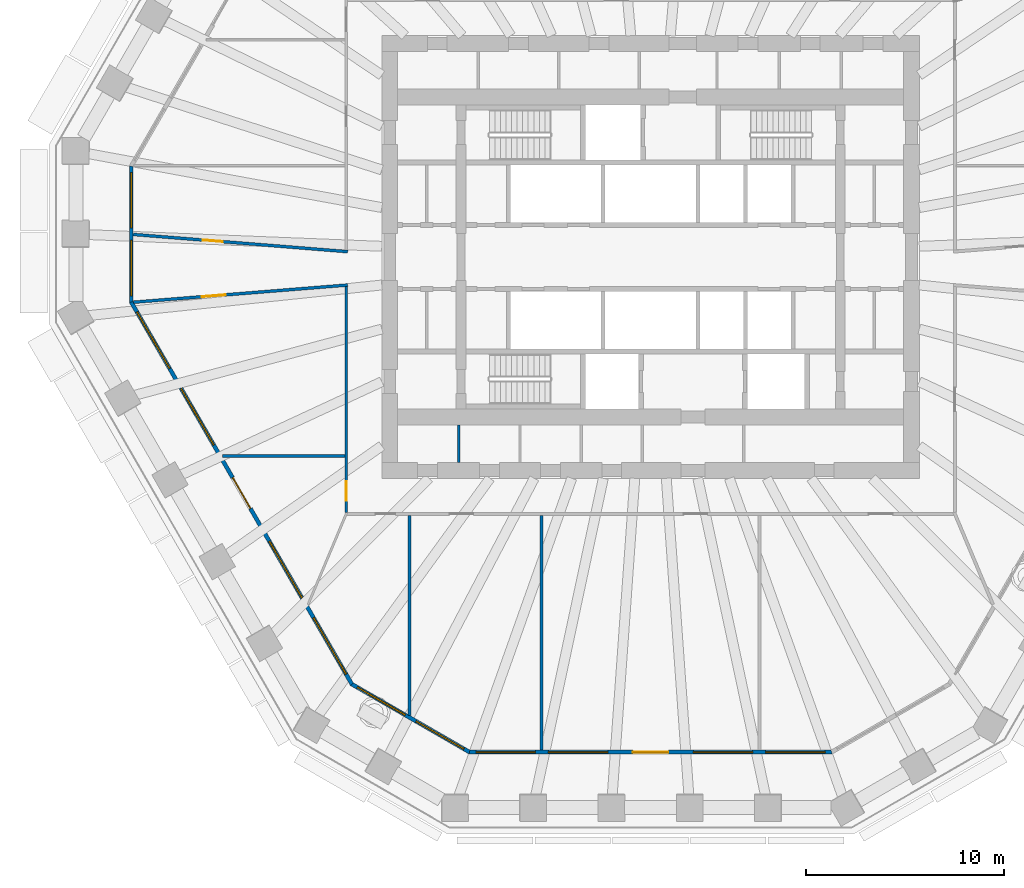
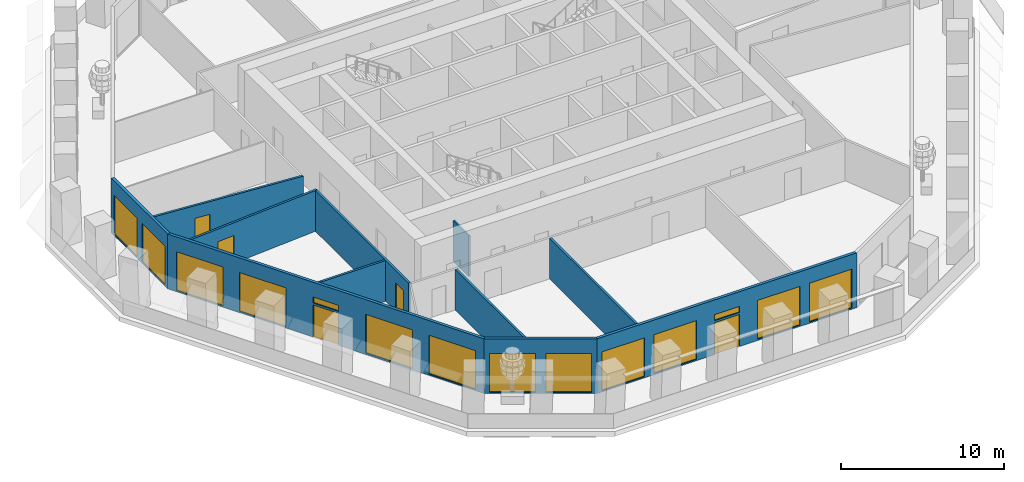
# One storey, part 3 of 13: 14 windows, 11 walls, 5 doors, 19 openings.
"""IFC4 building model written with IfcOpenShell, lengths in metres."""

from ifc_helpers import new_model, si_unit, direction, frame, frame_2d, origin, place, context, subcontext, project, spatial, polyline, rectangle, outline, extrude, material, layer, layer_set, type_object, element, fill, save


model = new_model("IFC4")

# Units and contexts
model_context = context("Model", 3, precision=1e-05, world=origin(), true_north=direction((0.0, 1.0)))
body_context = subcontext(model_context, "Body", "Model", "MODEL_VIEW")
ifc_project = project(units=[si_unit("LENGTHUNIT", "METRE"), si_unit("AREAUNIT", "SQUARE_METRE"), si_unit("VOLUMEUNIT", "CUBIC_METRE"), si_unit("PLANEANGLEUNIT", "RADIAN"), si_unit("MASSUNIT", "GRAM", prefix="KILO")], contexts=[model_context])

# Site, building, storey
site_placement = place(None, origin())
site = spatial("IfcSite", under=ifc_project, at=site_placement, CompositionType="ELEMENT")
building_placement = place(site_placement, origin())
building = spatial("IfcBuilding", under=site, at=building_placement, Name="Frailejon Research Tower", CompositionType="ELEMENT")
storey_placement = place(building_placement, frame((0.0, 0.0, 117.60009765625)))
storey = spatial("IfcBuildingStorey", under=building, at=storey_placement, Name="L25", CompositionType="ELEMENT", Elevation=117.60009765625)

# Wall
ifc_material_1 = material(Name="Plasterboard on steel studs", Category="steel")
ifc_layer_1 = layer(ifc_material_1, 0.125)
ifc_layer_set_1 = layer_set([ifc_layer_1], Name="Core partition 125")
wall_type_1 = type_object("IfcWallType", Name="Core partition 125", PredefinedType="PARTITIONING", material=ifc_layer_set_1)
wall_1_placement = place(storey_placement, frame((-9.703125, -10.39990234375, 0.0), z_axis=(0.0, 0.0, 1.0), x_axis=(0.0, 1.0, 0.0)))
element("IfcWall", 1, at=wall_1_placement, inside=storey, type_object=wall_type_1, Name="Core partition", PredefinedType="PARTITIONING", context=body_context, shape_type="SweptSolid", body=[
    extrude(rectangle(XDim=1.89990234375, YDim=0.125, at=frame_2d((0.949951171875, 0.0))), origin(), (0.0, 0.0, 1.0), 3.0498046875),
])

# Wall, opening, door
ifc_material_2 = material(Name="Gypsum board and masonry partition", Category="masonry")
ifc_layer_2 = layer(ifc_material_2, 0.14990234375)
ifc_layer_set_2 = layer_set([ifc_layer_2], Name="Corridor wall EI 60, gypsum on steel studs 150")
wall_type_2 = type_object("IfcWallType", Name="Corridor wall EI 60, gypsum on steel studs 150", PredefinedType="PARTITIONING", material=ifc_layer_set_2)
wall_2_placement = place(storey_placement, frame((-15.39990234375, -12.925048828125, 0.0), z_axis=(0.0, 0.0, 1.0), x_axis=(0.0, 1.0, 0.0)))
wall_2 = element("IfcWall", 2, at=wall_2_placement, inside=storey, type_object=wall_type_2, Name="T:IW:L25:004", PredefinedType="PARTITIONING", context=body_context, shape_type="SweptSolid", body=[
    extrude(rectangle(XDim=11.424560546875, YDim=0.14990234375, at=frame_2d((5.71240234375, 0.0))), origin(), (0.0, 0.0, 1.0), 3.0498046875),
])
opening_1_placement = place(wall_2_placement, frame((0.584716796875, 0.0, 0.0)))
opening_1 = element("IfcOpeningElement", 3, at=opening_1_placement, cuts=wall_2, Name="Opening D1625", PredefinedType="OPENING", context=body_context, shape_type="SweptSolid", body=[
    extrude(rectangle(XDim=1.0, YDim=2.10009765625, at=frame_2d((0.5, 1.050048828125))), frame((0.0, 0.0849609375, 0.0), z_axis=(0.0, -1.0, 0.0), x_axis=(1.0, 0.0, 0.0)), (0.0, 0.0, 1.0), 0.169921875),
])
ifc_material_3 = material(Name="Timber door leaf", Category="wood")
door_type_1 = type_object("IfcDoorType", Name="Door single leaf, timber, steel frame 1000", OperationType="NOTDEFINED", PredefinedType="DOOR", material=ifc_material_3)
door_1_placement = place(opening_1_placement, origin())
door_1 = element("IfcDoor", 4, at=door_1_placement, inside=storey, type_object=door_type_1, Name="D1625", OperationType="SINGLE_SWING_LEFT", OverallHeight=2.10009765625, OverallWidth=1.0, PredefinedType="DOOR", context=body_context, shape_type="SweptSolid", body=[
    extrude(rectangle(XDim=1.0, YDim=2.10009765625, at=frame_2d((0.5, 1.050048828125))), frame((0.0, 0.02490234375, 0.0), z_axis=(0.0, -1.0, 0.0), x_axis=(1.0, 0.0, 0.0)), (0.0, 0.0, 1.0), 0.050048828125),
])
fill(opening_1, door_1)

wall_3_placement = place(storey_placement, frame((-26.180419921875, 1.140380859375, 0.0), z_axis=(0.0, 0.0, 1.0), x_axis=(0.996788563133, -0.08007846406, 0.0)))
wall_3 = element("IfcWall", 5, at=wall_3_placement, inside=storey, type_object=wall_type_2, Name="T:IW:L25:007", PredefinedType="PARTITIONING", context=body_context, shape_type="SweptSolid", body=[
    extrude(rectangle(XDim=10.89013671875, YDim=0.14990234375, at=frame_2d((5.445068359375, 0.0))), origin(), (0.0, 0.0, 1.0), 3.0498046875),
])
opening_2_placement = place(wall_3_placement, frame((3.540283203125, 0.0, 0.0)))
opening_2 = element("IfcOpeningElement", 6, at=opening_2_placement, cuts=wall_3, Name="Opening D1623", PredefinedType="OPENING", context=body_context, shape_type="SweptSolid", body=[
    extrude(rectangle(XDim=1.0, YDim=2.10009765625, at=frame_2d((0.5, 1.050048828125))), frame((0.0, 0.0849609375, 0.0), z_axis=(0.0, -1.0, 0.0), x_axis=(1.0, 0.0, 0.0)), (0.0, 0.0, 1.0), 0.169921875),
])
door_2_placement = place(opening_2_placement, origin())
door_2 = element("IfcDoor", 7, at=door_2_placement, inside=storey, type_object=door_type_1, Name="D1623", OperationType="SINGLE_SWING_LEFT", OverallHeight=2.10009765625, OverallWidth=1.0, PredefinedType="DOOR", context=body_context, shape_type="SweptSolid", body=[
    extrude(rectangle(XDim=1.0, YDim=2.10009765625, at=frame_2d((0.5, 1.050048828125))), frame((0.0, 0.02490234375, 0.0), z_axis=(0.0, -1.0, 0.0), x_axis=(1.0, 0.0, 0.0)), (0.0, 0.0, 1.0), 0.050048828125),
])
fill(opening_2, door_2)

wall_4_placement = place(storey_placement, frame((-26.159912109375, -2.289794921875, 0.0), z_axis=(0.0, 0.0, 1.0), x_axis=(0.996790806926, 0.080050529212, 0.0)))
wall_4 = element("IfcWall", 8, at=wall_4_placement, inside=storey, type_object=wall_type_2, Name="T:IW:L25:008", PredefinedType="PARTITIONING", context=body_context, shape_type="SweptSolid", body=[
    extrude(rectangle(XDim=10.86962890625, YDim=0.14990234375, at=frame_2d((5.434814453125, 0.0))), origin(), (0.0, 0.0, 1.0), 3.0498046875),
])
opening_3_placement = place(wall_4_placement, frame((3.463134765625, 0.0, 0.0)))
opening_3 = element("IfcOpeningElement", 9, at=opening_3_placement, cuts=wall_4, Name="Opening D1624", PredefinedType="OPENING", context=body_context, shape_type="SweptSolid", body=[
    extrude(rectangle(XDim=1.199951171875, YDim=2.10009765625, at=frame_2d((0.60009765625, 1.050048828125))), frame((0.0, 0.0849609375, 0.0), z_axis=(0.0, -1.0, 0.0), x_axis=(1.0, 0.0, 0.0)), (0.0, 0.0, 1.0), 0.169921875),
])
ifc_material_4 = material(Name="Timber door leaf", Category="wood")
door_type_2 = type_object("IfcDoorType", Name="Door laboratory, timber, vision panel 1200", OperationType="NOTDEFINED", PredefinedType="DOOR", material=ifc_material_4)
door_3_placement = place(opening_3_placement, origin())
door_3 = element("IfcDoor", 10, at=door_3_placement, inside=storey, type_object=door_type_2, Name="D1624", OperationType="DOUBLE_DOOR_SINGLE_SWING", OverallHeight=2.10009765625, OverallWidth=1.199951171875, PredefinedType="DOOR", context=body_context, shape_type="SweptSolid", body=[
    extrude(rectangle(XDim=1.199951171875, YDim=2.10009765625, at=frame_2d((0.60009765625, 1.050048828125))), frame((0.0, 0.02490234375, 0.0), z_axis=(0.0, -1.0, 0.0), x_axis=(1.0, 0.0, 0.0)), (0.0, 0.0, 1.0), 0.050048828125),
])
fill(opening_3, door_3)

# Walls
ifc_material_5 = material(Name="Gypsum board and masonry partition", Category="masonry")
ifc_layer_3 = layer(ifc_material_5, 0.14990234375)
ifc_layer_set_3 = layer_set([ifc_layer_3], Name="Laboratory partition, blockwork 150")
wall_type_3 = type_object("IfcWallType", Name="Laboratory partition, blockwork 150", PredefinedType="PARTITIONING", material=ifc_layer_set_3)
wall_5_placement = place(storey_placement, frame((-21.6728515625, -10.0615234375, 0.0), z_axis=(0.0, 0.0, 1.0), x_axis=(1.0, 0.0, 0.0)))
element("IfcWall", 11, at=wall_5_placement, inside=storey, type_object=wall_type_3, Name="T:IW:L25:015", PredefinedType="PARTITIONING", context=body_context, shape_type="SweptSolid", body=[
    extrude(rectangle(XDim=6.19775390625, YDim=0.14990234375, at=frame_2d((3.098876953125, 0.0))), origin(), (0.0, 0.0, 1.0), 3.0498046875),
])
wall_6_placement = place(storey_placement, frame((-12.188720703125, -23.193603515625, 0.0), z_axis=(0.0, 0.0, 1.0), x_axis=(0.0, 1.0, 0.0)))
element("IfcWall", 12, at=wall_6_placement, inside=storey, type_object=wall_type_3, Name="T:IW:L25:016", PredefinedType="PARTITIONING", context=body_context, shape_type="SweptSolid", body=[
    extrude(rectangle(XDim=10.11865234375, YDim=0.14990234375, at=frame_2d((5.059326171875, 0.0))), origin(), (0.0, 0.0, 1.0), 3.0498046875),
])
wall_7_placement = place(storey_placement, frame((-5.51318359375, -24.95654296875, 0.0), z_axis=(0.0, 0.0, 1.0), x_axis=(0.0, 1.0, 0.0)))
element("IfcWall", 13, at=wall_7_placement, inside=storey, type_object=wall_type_3, Name="T:IW:L25:017", PredefinedType="PARTITIONING", context=body_context, shape_type="SweptSolid", body=[
    extrude(rectangle(XDim=11.881591796875, YDim=0.14990234375, at=frame_2d((5.94091796875, 0.0))), origin(), (0.0, 0.0, 1.0), 3.0498046875),
])

# Wall, openings, windows
ifc_material_6 = material(Name="Concrete C40/50 precast window wall panel", Category="concrete")
ifc_layer_4 = layer(ifc_material_6, 0.199951171875)
ifc_layer_set_4 = layer_set([ifc_layer_4], Name="Window wall 200")
wall_type_4 = type_object("IfcWallType", Name="Window wall 200", PredefinedType="SOLIDWALL", material=ifc_layer_set_4)
wall_8_placement = place(storey_placement, frame((-26.280517578125, 4.59375, 0.0), z_axis=(0.0, 0.0, 1.0), x_axis=(0.0, -1.0, 0.0)))
wall_8 = element("IfcWall", 14, at=wall_8_placement, inside=storey, type_object=wall_type_4, Name="Exterior wall L25", PredefinedType="SOLIDWALL", context=body_context, shape_type="SweptSolid", body=[
    extrude(outline(polyline([(-0.02685546875, -0.10009765625), (1.1279296875, -0.10009765625), (2.282470703125, -0.10009765625), (3.437255859375, -0.10009765625), (4.592041015625, -0.10009765625), (5.74658203125, -0.10009765625), (6.9013671875, -0.10009765625), (6.84765625, 0.10009765625), (5.7109375, 0.10009765625), (4.573974609375, 0.10009765625), (3.437255859375, 0.10009765625), (2.300537109375, 0.10009765625), (1.16357421875, 0.10009765625), (0.02685546875, 0.10009765625), (-0.02685546875, -0.10009765625)])), origin(), (0.0, 0.0, 1.0), 4.099853515625),
])
opening_4_placement = place(wall_8_placement, frame((0.318603515625, 0.0, 0.10009765625)))
opening_4 = element("IfcOpeningElement", 15, at=opening_4_placement, cuts=wall_8, Name="Opening W3", PredefinedType="OPENING", context=body_context, shape_type="SweptSolid", body=[
    extrude(rectangle(XDim=2.800048828125, YDim=2.89990234375, at=frame_2d((1.39990234375, 1.449951171875))), frame((0.0, 0.10986328125, 0.0), z_axis=(0.0, -1.0, 0.0), x_axis=(1.0, 0.0, 0.0)), (0.0, 0.0, 1.0), 0.219970703125),
])
opening_5_placement = place(wall_8_placement, frame((3.756103515625, 0.0, 0.10009765625)))
opening_5 = element("IfcOpeningElement", 16, at=opening_5_placement, cuts=wall_8, Name="Opening W3", PredefinedType="OPENING", context=body_context, shape_type="SweptSolid", body=[
    extrude(rectangle(XDim=2.800048828125, YDim=2.89990234375, at=frame_2d((1.39990234375, 1.449951171875))), frame((0.0, 0.10986328125, 0.0), z_axis=(0.0, -1.0, 0.0), x_axis=(1.0, 0.0, 0.0)), (0.0, 0.0, 1.0), 0.219970703125),
])
ifc_material_7 = material(Name="Aluminium framed double glazing", Category="aluminium")
window_type_1 = type_object("IfcWindowType", Name="Window 2800x2900", PartitioningType="SINGLE_PANEL", PredefinedType="WINDOW", material=ifc_material_7)
window_1_placement = place(opening_4_placement, origin())
window_1 = element("IfcWindow", 17, at=window_1_placement, inside=storey, type_object=window_type_1, Name="Window L25", OverallHeight=2.89990234375, OverallWidth=2.800048828125, PartitioningType="SINGLE_PANEL", PredefinedType="WINDOW", context=body_context, shape_type="SweptSolid", body=[
    extrude(rectangle(XDim=2.800048828125, YDim=2.89990234375, at=frame_2d((1.39990234375, 1.449951171875))), frame((0.0, 0.030029296875, 0.0), z_axis=(0.0, -1.0, 0.0), x_axis=(1.0, 0.0, 0.0)), (0.0, 0.0, 1.0), 0.06005859375),
])
fill(opening_4, window_1)
window_2_placement = place(opening_5_placement, origin())
window_2 = element("IfcWindow", 18, at=window_2_placement, inside=storey, type_object=window_type_1, Name="Window L25", OverallHeight=2.89990234375, OverallWidth=2.800048828125, PartitioningType="SINGLE_PANEL", PredefinedType="WINDOW", context=body_context, shape_type="SweptSolid", body=[
    extrude(rectangle(XDim=2.800048828125, YDim=2.89990234375, at=frame_2d((1.39990234375, 1.449951171875))), frame((0.0, 0.030029296875, 0.0), z_axis=(0.0, -1.0, 0.0), x_axis=(1.0, 0.0, 0.0)), (0.0, 0.0, 1.0), 0.06005859375),
])
fill(opening_5, window_2)

# Wall, openings, door, windows
wall_9_placement = place(storey_placement, frame((-26.280517578125, -2.28076171875, 0.0), z_axis=(0.0, 0.0, 1.0), x_axis=(0.500000698452, -0.866025000533, 0.0)))
wall_9 = element("IfcWall", 19, at=wall_9_placement, inside=storey, type_object=wall_type_4, Name="Exterior wall L25", PredefinedType="SOLIDWALL", context=body_context, shape_type="SweptSolid", body=[
    extrude(outline(polyline([(-0.02685546875, -0.10009765625), (0.990478515625, -0.10009765625), (2.008056640625, -0.10009765625), (3.025390625, -0.10009765625), (4.04296875, -0.10009765625), (5.060302734375, -0.10009765625), (6.077880859375, -0.10009765625), (7.09521484375, -0.10009765625), (8.11279296875, -0.10009765625), (9.130126953125, -0.10009765625), (10.147705078125, -0.10009765625), (11.1650390625, -0.10009765625), (12.182373046875, -0.10009765625), (13.199951171875, -0.10009765625), (14.21728515625, -0.10009765625), (15.23486328125, -0.10009765625), (16.252197265625, -0.10009765625), (17.269775390625, -0.10009765625), (18.287109375, -0.10009765625), (19.3046875, -0.10009765625), (20.322021484375, -0.10009765625), (21.339599609375, -0.10009765625), (22.35693359375, -0.10009765625), (22.30322265625, 0.10009765625), (21.290771484375, 0.10009765625), (20.278076171875, 0.10009765625), (19.265625, 0.10009765625), (18.2529296875, 0.10009765625), (17.240478515625, 0.10009765625), (16.227783203125, 0.10009765625), (15.21533203125, 0.10009765625), (14.20263671875, 0.10009765625), (13.190185546875, 0.10009765625), (12.177490234375, 0.10009765625), (11.1650390625, 0.10009765625), (10.152587890625, 0.10009765625), (9.139892578125, 0.10009765625), (8.12744140625, 0.10009765625), (7.11474609375, 0.10009765625), (6.102294921875, 0.10009765625), (5.089599609375, 0.10009765625), (4.0771484375, 0.10009765625), (3.064453125, 0.10009765625), (2.052001953125, 0.10009765625), (1.039306640625, 0.10009765625), (0.02685546875, 0.10009765625), (-0.02685546875, -0.10009765625)])), origin(), (0.0, 0.0, 1.0), 4.099853515625),
])
opening_6_placement = place(wall_9_placement, frame((0.5830078125, 0.0, 0.10009765625)))
opening_6 = element("IfcOpeningElement", 20, at=opening_6_placement, cuts=wall_9, Name="Opening W5", PredefinedType="OPENING", context=body_context, shape_type="SweptSolid", body=[
    extrude(rectangle(XDim=3.300048828125, YDim=2.89990234375, at=frame_2d((1.64990234375, 1.449951171875))), frame((0.0, 0.10986328125, 0.0), z_axis=(0.0, -1.0, 0.0), x_axis=(1.0, 0.0, 0.0)), (0.0, 0.0, 1.0), 0.219970703125),
])
opening_7_placement = place(wall_9_placement, frame((5.049072265625, 0.0, 0.10009765625)))
opening_7 = element("IfcOpeningElement", 21, at=opening_7_placement, cuts=wall_9, Name="Opening W5", PredefinedType="OPENING", context=body_context, shape_type="SweptSolid", body=[
    extrude(rectangle(XDim=3.300048828125, YDim=2.89990234375, at=frame_2d((1.64990234375, 1.449951171875))), frame((0.0, 0.10986328125, 0.0), z_axis=(0.0, -1.0, 0.0), x_axis=(1.0, 0.0, 0.0)), (0.0, 0.0, 1.0), 0.219970703125),
])
opening_8_placement = place(wall_9_placement, frame((10.264892578125, 0.0, 0.0)))
opening_8 = element("IfcOpeningElement", 22, at=opening_8_placement, cuts=wall_9, Name="Opening LG25-4", PredefinedType="OPENING", context=body_context, shape_type="SweptSolid", body=[
    extrude(rectangle(XDim=1.800048828125, YDim=2.39990234375, at=frame_2d((0.89990234375, 1.199951171875))), frame((0.0, 0.10986328125, 0.0), z_axis=(0.0, -1.0, 0.0), x_axis=(1.0, 0.0, 0.0)), (0.0, 0.0, 1.0), 0.219970703125),
])
opening_9_placement = place(wall_9_placement, frame((10.264892578125, 0.0, 2.550048828125)))
opening_9 = element("IfcOpeningElement", 23, at=opening_9_placement, cuts=wall_9, Name="Opening W1", PredefinedType="OPENING", context=body_context, shape_type="SweptSolid", body=[
    extrude(rectangle(XDim=1.800048828125, YDim=0.449951171875, at=frame_2d((0.89990234375, 0.22509765625))), frame((0.0, 0.10986328125, 0.0), z_axis=(0.0, -1.0, 0.0), x_axis=(1.0, 0.0, 0.0)), (0.0, 0.0, 1.0), 0.219970703125),
])
opening_10_placement = place(wall_9_placement, frame((13.98095703125, 0.0, 0.10009765625)))
opening_10 = element("IfcOpeningElement", 24, at=opening_10_placement, cuts=wall_9, Name="Opening W5", PredefinedType="OPENING", context=body_context, shape_type="SweptSolid", body=[
    extrude(rectangle(XDim=3.300048828125, YDim=2.89990234375, at=frame_2d((1.64990234375, 1.449951171875))), frame((0.0, 0.10986328125, 0.0), z_axis=(0.0, -1.0, 0.0), x_axis=(1.0, 0.0, 0.0)), (0.0, 0.0, 1.0), 0.219970703125),
])
opening_11_placement = place(wall_9_placement, frame((18.447021484375, 0.0, 0.10009765625)))
opening_11 = element("IfcOpeningElement", 25, at=opening_11_placement, cuts=wall_9, Name="Opening W5", PredefinedType="OPENING", context=body_context, shape_type="SweptSolid", body=[
    extrude(rectangle(XDim=3.300048828125, YDim=2.89990234375, at=frame_2d((1.64990234375, 1.449951171875))), frame((0.0, 0.10986328125, 0.0), z_axis=(0.0, -1.0, 0.0), x_axis=(1.0, 0.0, 0.0)), (0.0, 0.0, 1.0), 0.219970703125),
])
ifc_material_8 = material(Name="Aluminium framed glazed door leaf", Category="aluminium")
door_type_3 = type_object("IfcDoorType", Name="Loggia door 1800x2400", OperationType="DOUBLE_DOOR_SINGLE_SWING", PredefinedType="DOOR", material=ifc_material_8)
door_4_placement = place(opening_8_placement, origin())
door_4 = element("IfcDoor", 26, at=door_4_placement, inside=storey, type_object=door_type_3, Name="Door LG25-4", OperationType="DOUBLE_DOOR_SINGLE_SWING", OverallHeight=2.39990234375, OverallWidth=1.800048828125, PredefinedType="DOOR", context=body_context, shape_type="SweptSolid", body=[
    extrude(rectangle(XDim=1.800048828125, YDim=2.39990234375, at=frame_2d((0.89990234375, 1.199951171875))), frame((0.0, 0.02490234375, 0.0), z_axis=(0.0, -1.0, 0.0), x_axis=(1.0, 0.0, 0.0)), (0.0, 0.0, 1.0), 0.050048828125),
])
fill(opening_8, door_4)
ifc_material_9 = material(Name="Aluminium framed double glazing", Category="aluminium")
window_type_2 = type_object("IfcWindowType", Name="Window 1800x450", PartitioningType="SINGLE_PANEL", PredefinedType="WINDOW", material=ifc_material_9)
window_3_placement = place(opening_9_placement, origin())
window_3 = element("IfcWindow", 27, at=window_3_placement, inside=storey, type_object=window_type_2, Name="Window L25", OverallHeight=0.449951171875, OverallWidth=1.800048828125, PartitioningType="SINGLE_PANEL", PredefinedType="WINDOW", context=body_context, shape_type="SweptSolid", body=[
    extrude(rectangle(XDim=1.800048828125, YDim=0.449951171875, at=frame_2d((0.89990234375, 0.22509765625))), frame((0.0, 0.030029296875, 0.0), z_axis=(0.0, -1.0, 0.0), x_axis=(1.0, 0.0, 0.0)), (0.0, 0.0, 1.0), 0.06005859375),
])
fill(opening_9, window_3)
ifc_material_10 = material(Name="Aluminium framed double glazing", Category="aluminium")
window_type_3 = type_object("IfcWindowType", Name="Window 3300x2900", PartitioningType="SINGLE_PANEL", PredefinedType="WINDOW", material=ifc_material_10)
window_4_placement = place(opening_6_placement, origin())
window_4 = element("IfcWindow", 28, at=window_4_placement, inside=storey, type_object=window_type_3, Name="Window L25", OverallHeight=2.89990234375, OverallWidth=3.300048828125, PartitioningType="SINGLE_PANEL", PredefinedType="WINDOW", context=body_context, shape_type="SweptSolid", body=[
    extrude(rectangle(XDim=3.300048828125, YDim=2.89990234375, at=frame_2d((1.64990234375, 1.449951171875))), frame((0.0, 0.030029296875, 0.0), z_axis=(0.0, -1.0, 0.0), x_axis=(1.0, 0.0, 0.0)), (0.0, 0.0, 1.0), 0.06005859375),
])
fill(opening_6, window_4)
window_5_placement = place(opening_7_placement, origin())
window_5 = element("IfcWindow", 29, at=window_5_placement, inside=storey, type_object=window_type_3, Name="Window L25", OverallHeight=2.89990234375, OverallWidth=3.300048828125, PartitioningType="SINGLE_PANEL", PredefinedType="WINDOW", context=body_context, shape_type="SweptSolid", body=[
    extrude(rectangle(XDim=3.300048828125, YDim=2.89990234375, at=frame_2d((1.64990234375, 1.449951171875))), frame((0.0, 0.030029296875, 0.0), z_axis=(0.0, -1.0, 0.0), x_axis=(1.0, 0.0, 0.0)), (0.0, 0.0, 1.0), 0.06005859375),
])
fill(opening_7, window_5)
window_6_placement = place(opening_10_placement, origin())
window_6 = element("IfcWindow", 30, at=window_6_placement, inside=storey, type_object=window_type_3, Name="Window L25", OverallHeight=2.89990234375, OverallWidth=3.300048828125, PartitioningType="SINGLE_PANEL", PredefinedType="WINDOW", context=body_context, shape_type="SweptSolid", body=[
    extrude(rectangle(XDim=3.300048828125, YDim=2.89990234375, at=frame_2d((1.64990234375, 1.449951171875))), frame((0.0, 0.030029296875, 0.0), z_axis=(0.0, -1.0, 0.0), x_axis=(1.0, 0.0, 0.0)), (0.0, 0.0, 1.0), 0.06005859375),
])
fill(opening_10, window_6)
window_7_placement = place(opening_11_placement, origin())
window_7 = element("IfcWindow", 31, at=window_7_placement, inside=storey, type_object=window_type_3, Name="Window L25", OverallHeight=2.89990234375, OverallWidth=3.300048828125, PartitioningType="SINGLE_PANEL", PredefinedType="WINDOW", context=body_context, shape_type="SweptSolid", body=[
    extrude(rectangle(XDim=3.300048828125, YDim=2.89990234375, at=frame_2d((1.64990234375, 1.449951171875))), frame((0.0, 0.030029296875, 0.0), z_axis=(0.0, -1.0, 0.0), x_axis=(1.0, 0.0, 0.0)), (0.0, 0.0, 1.0), 0.06005859375),
])
fill(opening_11, window_7)

# Wall, openings, windows
wall_10_placement = place(storey_placement, frame((-15.115478515625, -21.619140625, 0.0), z_axis=(0.0, 0.0, 1.0), x_axis=(0.866029458321, -0.49999297727, 0.0)))
wall_10 = element("IfcWall", 32, at=wall_10_placement, inside=storey, type_object=wall_type_4, Name="Exterior wall L25", PredefinedType="SOLIDWALL", context=body_context, shape_type="SweptSolid", body=[
    extrude(outline(polyline([(-0.02685546875, -0.10009765625), (1.1279296875, -0.10009765625), (2.282470703125, -0.10009765625), (3.437255859375, -0.10009765625), (4.592041015625, -0.10009765625), (5.74658203125, -0.10009765625), (6.9013671875, -0.10009765625), (6.84765625, 0.10009765625), (5.7109375, 0.10009765625), (4.573974609375, 0.10009765625), (3.437255859375, 0.10009765625), (2.300537109375, 0.10009765625), (1.16357421875, 0.10009765625), (0.02685546875, 0.10009765625), (-0.02685546875, -0.10009765625)])), origin(), (0.0, 0.0, 1.0), 4.099853515625),
])
opening_12_placement = place(wall_10_placement, frame((0.318603515625, 0.0, 0.10009765625)))
opening_12 = element("IfcOpeningElement", 33, at=opening_12_placement, cuts=wall_10, Name="Opening W3", PredefinedType="OPENING", context=body_context, shape_type="SweptSolid", body=[
    extrude(rectangle(XDim=2.800048828125, YDim=2.89990234375, at=frame_2d((1.39990234375, 1.449951171875))), frame((0.0, 0.10986328125, 0.0), z_axis=(0.0, -1.0, 0.0), x_axis=(1.0, 0.0, 0.0)), (0.0, 0.0, 1.0), 0.219970703125),
])
opening_13_placement = place(wall_10_placement, frame((3.756103515625, 0.0, 0.10009765625)))
opening_13 = element("IfcOpeningElement", 34, at=opening_13_placement, cuts=wall_10, Name="Opening W3", PredefinedType="OPENING", context=body_context, shape_type="SweptSolid", body=[
    extrude(rectangle(XDim=2.800048828125, YDim=2.89990234375, at=frame_2d((1.39990234375, 1.449951171875))), frame((0.0, 0.10986328125, 0.0), z_axis=(0.0, -1.0, 0.0), x_axis=(1.0, 0.0, 0.0)), (0.0, 0.0, 1.0), 0.219970703125),
])
window_8_placement = place(opening_12_placement, origin())
window_8 = element("IfcWindow", 35, at=window_8_placement, inside=storey, type_object=window_type_1, Name="Window L25", OverallHeight=2.89990234375, OverallWidth=2.800048828125, PartitioningType="SINGLE_PANEL", PredefinedType="WINDOW", context=body_context, shape_type="SweptSolid", body=[
    extrude(rectangle(XDim=2.800048828125, YDim=2.89990234375, at=frame_2d((1.39990234375, 1.449951171875))), frame((0.0, 0.030029296875, 0.0), z_axis=(0.0, -1.0, 0.0), x_axis=(1.0, 0.0, 0.0)), (0.0, 0.0, 1.0), 0.06005859375),
])
fill(opening_12, window_8)
window_9_placement = place(opening_13_placement, origin())
window_9 = element("IfcWindow", 36, at=window_9_placement, inside=storey, type_object=window_type_1, Name="Window L25", OverallHeight=2.89990234375, OverallWidth=2.800048828125, PartitioningType="SINGLE_PANEL", PredefinedType="WINDOW", context=body_context, shape_type="SweptSolid", body=[
    extrude(rectangle(XDim=2.800048828125, YDim=2.89990234375, at=frame_2d((1.39990234375, 1.449951171875))), frame((0.0, 0.030029296875, 0.0), z_axis=(0.0, -1.0, 0.0), x_axis=(1.0, 0.0, 0.0)), (0.0, 0.0, 1.0), 0.06005859375),
])
fill(opening_13, window_9)

# Wall, openings, door, windows
wall_11_placement = place(storey_placement, frame((-9.161865234375, -25.056396484375, 0.0), z_axis=(0.0, 0.0, 1.0), x_axis=(1.0, 0.0, 0.0)))
wall_11 = element("IfcWall", 37, at=wall_11_placement, inside=storey, type_object=wall_type_4, Name="Exterior wall L25", PredefinedType="SOLIDWALL", context=body_context, shape_type="SweptSolid", body=[
    extrude(outline(polyline([(-0.02685546875, -0.10009765625), (0.994140625, -0.10009765625), (2.01513671875, -0.10009765625), (3.0361328125, -0.10009765625), (4.05712890625, -0.10009765625), (5.077880859375, -0.10009765625), (6.098876953125, -0.10009765625), (7.119873046875, -0.10009765625), (8.140869140625, -0.10009765625), (9.161865234375, -0.10009765625), (10.182861328125, -0.10009765625), (11.203857421875, -0.10009765625), (12.224853515625, -0.10009765625), (13.245849609375, -0.10009765625), (14.2666015625, -0.10009765625), (15.28759765625, -0.10009765625), (16.30859375, -0.10009765625), (17.32958984375, -0.10009765625), (18.3505859375, -0.10009765625), (18.296875, 0.10009765625), (17.281982421875, 0.10009765625), (16.266845703125, 0.10009765625), (15.251953125, 0.10009765625), (14.23681640625, 0.10009765625), (13.221923828125, 0.10009765625), (12.206787109375, 0.10009765625), (11.19189453125, 0.10009765625), (10.1767578125, 0.10009765625), (9.161865234375, 0.10009765625), (8.14697265625, 0.10009765625), (7.1318359375, 0.10009765625), (6.116943359375, 0.10009765625), (5.101806640625, 0.10009765625), (4.0869140625, 0.10009765625), (3.07177734375, 0.10009765625), (2.056884765625, 0.10009765625), (1.041748046875, 0.10009765625), (0.02685546875, 0.10009765625), (-0.02685546875, -0.10009765625)])), origin(), (0.0, 0.0, 1.0), 4.099853515625),
])
opening_14_placement = place(wall_11_placement, frame((0.33251953125, 0.0, 0.10009765625)))
opening_14 = element("IfcOpeningElement", 38, at=opening_14_placement, cuts=wall_11, Name="Opening W4", PredefinedType="OPENING", context=body_context, shape_type="SweptSolid", body=[
    extrude(rectangle(XDim=3.0, YDim=2.89990234375, at=frame_2d((1.5, 1.449951171875))), frame((0.0, 0.10986328125, 0.0), z_axis=(0.0, -1.0, 0.0), x_axis=(1.0, 0.0, 0.0)), (0.0, 0.0, 1.0), 0.219970703125),
])
opening_15_placement = place(wall_11_placement, frame((3.9970703125, 0.0, 0.10009765625)))
opening_15 = element("IfcOpeningElement", 39, at=opening_15_placement, cuts=wall_11, Name="Opening W4", PredefinedType="OPENING", context=body_context, shape_type="SweptSolid", body=[
    extrude(rectangle(XDim=3.0, YDim=2.89990234375, at=frame_2d((1.5, 1.449951171875))), frame((0.0, 0.10986328125, 0.0), z_axis=(0.0, -1.0, 0.0), x_axis=(1.0, 0.0, 0.0)), (0.0, 0.0, 1.0), 0.219970703125),
])
opening_16_placement = place(wall_11_placement, frame((8.261962890625, 0.0, 0.0)))
opening_16 = element("IfcOpeningElement", 40, at=opening_16_placement, cuts=wall_11, Name="Opening LG25-5", PredefinedType="OPENING", context=body_context, shape_type="SweptSolid", body=[
    extrude(rectangle(XDim=1.800048828125, YDim=2.39990234375, at=frame_2d((0.89990234375, 1.199951171875))), frame((0.0, 0.10986328125, 0.0), z_axis=(0.0, -1.0, 0.0), x_axis=(1.0, 0.0, 0.0)), (0.0, 0.0, 1.0), 0.219970703125),
])
opening_17_placement = place(wall_11_placement, frame((8.261962890625, 0.0, 2.550048828125)))
opening_17 = element("IfcOpeningElement", 41, at=opening_17_placement, cuts=wall_11, Name="Opening W1", PredefinedType="OPENING", context=body_context, shape_type="SweptSolid", body=[
    extrude(rectangle(XDim=1.800048828125, YDim=0.449951171875, at=frame_2d((0.89990234375, 0.22509765625))), frame((0.0, 0.10986328125, 0.0), z_axis=(0.0, -1.0, 0.0), x_axis=(1.0, 0.0, 0.0)), (0.0, 0.0, 1.0), 0.219970703125),
])
opening_18_placement = place(wall_11_placement, frame((11.32666015625, 0.0, 0.10009765625)))
opening_18 = element("IfcOpeningElement", 42, at=opening_18_placement, cuts=wall_11, Name="Opening W4", PredefinedType="OPENING", context=body_context, shape_type="SweptSolid", body=[
    extrude(rectangle(XDim=3.0, YDim=2.89990234375, at=frame_2d((1.5, 1.449951171875))), frame((0.0, 0.10986328125, 0.0), z_axis=(0.0, -1.0, 0.0), x_axis=(1.0, 0.0, 0.0)), (0.0, 0.0, 1.0), 0.219970703125),
])
opening_19_placement = place(wall_11_placement, frame((14.991455078125, 0.0, 0.10009765625)))
opening_19 = element("IfcOpeningElement", 43, at=opening_19_placement, cuts=wall_11, Name="Opening W4", PredefinedType="OPENING", context=body_context, shape_type="SweptSolid", body=[
    extrude(rectangle(XDim=3.0, YDim=2.89990234375, at=frame_2d((1.5, 1.449951171875))), frame((0.0, 0.10986328125, 0.0), z_axis=(0.0, -1.0, 0.0), x_axis=(1.0, 0.0, 0.0)), (0.0, 0.0, 1.0), 0.219970703125),
])
door_5_placement = place(opening_16_placement, origin())
door_5 = element("IfcDoor", 44, at=door_5_placement, inside=storey, type_object=door_type_3, Name="Door LG25-5", OperationType="DOUBLE_DOOR_SINGLE_SWING", OverallHeight=2.39990234375, OverallWidth=1.800048828125, PredefinedType="DOOR", context=body_context, shape_type="SweptSolid", body=[
    extrude(rectangle(XDim=1.800048828125, YDim=2.39990234375, at=frame_2d((0.89990234375, 1.199951171875))), frame((0.0, 0.02490234375, 0.0), z_axis=(0.0, -1.0, 0.0), x_axis=(1.0, 0.0, 0.0)), (0.0, 0.0, 1.0), 0.050048828125),
])
fill(opening_16, door_5)
window_10_placement = place(opening_17_placement, origin())
window_10 = element("IfcWindow", 45, at=window_10_placement, inside=storey, type_object=window_type_2, Name="Window L25", OverallHeight=0.449951171875, OverallWidth=1.800048828125, PartitioningType="SINGLE_PANEL", PredefinedType="WINDOW", context=body_context, shape_type="SweptSolid", body=[
    extrude(rectangle(XDim=1.800048828125, YDim=0.449951171875, at=frame_2d((0.89990234375, 0.22509765625))), frame((0.0, 0.030029296875, 0.0), z_axis=(0.0, -1.0, 0.0), x_axis=(1.0, 0.0, 0.0)), (0.0, 0.0, 1.0), 0.06005859375),
])
fill(opening_17, window_10)
ifc_material_11 = material(Name="Aluminium framed double glazing", Category="aluminium")
window_type_4 = type_object("IfcWindowType", Name="Window 3000x2900", PartitioningType="SINGLE_PANEL", PredefinedType="WINDOW", material=ifc_material_11)
window_11_placement = place(opening_14_placement, origin())
window_11 = element("IfcWindow", 46, at=window_11_placement, inside=storey, type_object=window_type_4, Name="Window L25", OverallHeight=2.89990234375, OverallWidth=3.0, PartitioningType="SINGLE_PANEL", PredefinedType="WINDOW", context=body_context, shape_type="SweptSolid", body=[
    extrude(rectangle(XDim=3.0, YDim=2.89990234375, at=frame_2d((1.5, 1.449951171875))), frame((0.0, 0.030029296875, 0.0), z_axis=(0.0, -1.0, 0.0), x_axis=(1.0, 0.0, 0.0)), (0.0, 0.0, 1.0), 0.06005859375),
])
fill(opening_14, window_11)
window_12_placement = place(opening_15_placement, origin())
window_12 = element("IfcWindow", 47, at=window_12_placement, inside=storey, type_object=window_type_4, Name="Window L25", OverallHeight=2.89990234375, OverallWidth=3.0, PartitioningType="SINGLE_PANEL", PredefinedType="WINDOW", context=body_context, shape_type="SweptSolid", body=[
    extrude(rectangle(XDim=3.0, YDim=2.89990234375, at=frame_2d((1.5, 1.449951171875))), frame((0.0, 0.030029296875, 0.0), z_axis=(0.0, -1.0, 0.0), x_axis=(1.0, 0.0, 0.0)), (0.0, 0.0, 1.0), 0.06005859375),
])
fill(opening_15, window_12)
window_13_placement = place(opening_18_placement, origin())
window_13 = element("IfcWindow", 48, at=window_13_placement, inside=storey, type_object=window_type_4, Name="Window L25", OverallHeight=2.89990234375, OverallWidth=3.0, PartitioningType="SINGLE_PANEL", PredefinedType="WINDOW", context=body_context, shape_type="SweptSolid", body=[
    extrude(rectangle(XDim=3.0, YDim=2.89990234375, at=frame_2d((1.5, 1.449951171875))), frame((0.0, 0.030029296875, 0.0), z_axis=(0.0, -1.0, 0.0), x_axis=(1.0, 0.0, 0.0)), (0.0, 0.0, 1.0), 0.06005859375),
])
fill(opening_18, window_13)
window_14_placement = place(opening_19_placement, origin())
window_14 = element("IfcWindow", 49, at=window_14_placement, inside=storey, type_object=window_type_4, Name="Window L25", OverallHeight=2.89990234375, OverallWidth=3.0, PartitioningType="SINGLE_PANEL", PredefinedType="WINDOW", context=body_context, shape_type="SweptSolid", body=[
    extrude(rectangle(XDim=3.0, YDim=2.89990234375, at=frame_2d((1.5, 1.449951171875))), frame((0.0, 0.030029296875, 0.0), z_axis=(0.0, -1.0, 0.0), x_axis=(1.0, 0.0, 0.0)), (0.0, 0.0, 1.0), 0.06005859375),
])
fill(opening_19, window_14)

save(model, "model.ifc")
